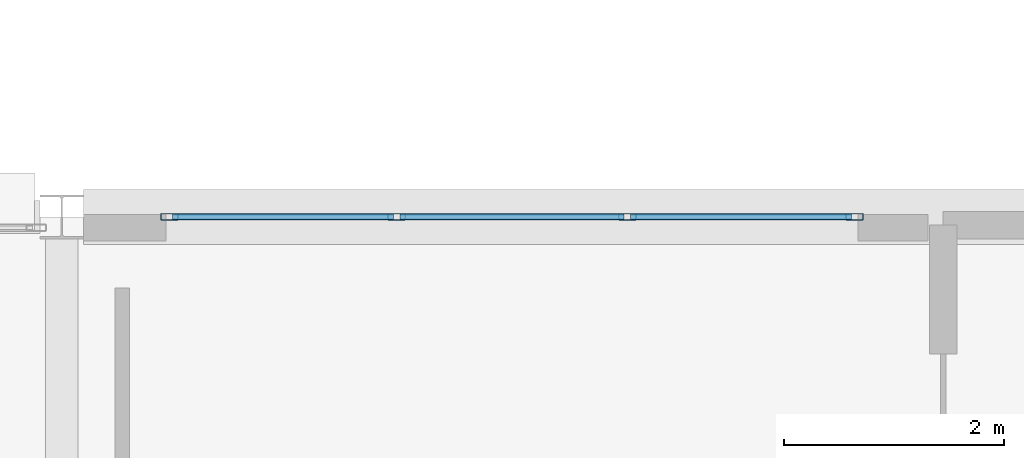
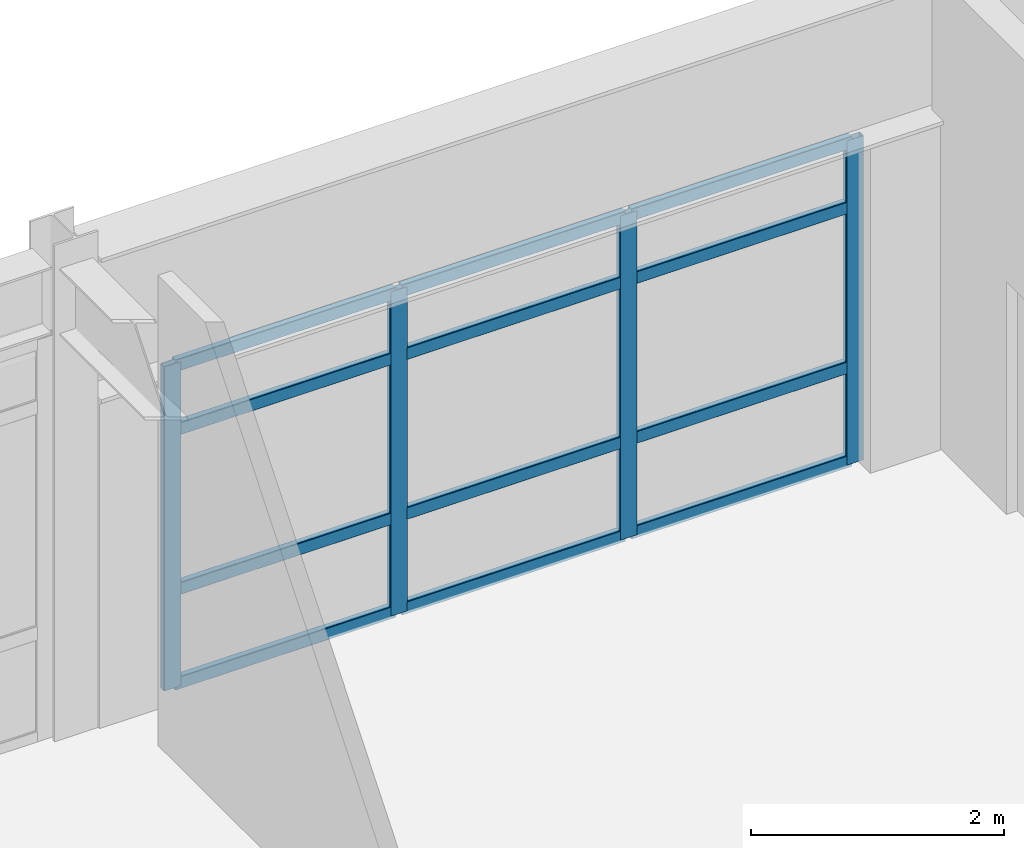
# One storey, part 34 of 93: 16 members, 1 element without a shape of its own.
"""IFC4 building model written with IfcOpenShell, lengths in metres."""

from ifc_helpers import new_model, si_unit, direction, frame, origin, origin_2d, place, context, subcontext, project, spatial, hollow_rectangle, extrude, material, layer, layer_set, material_profile, profile_set, type_object, element, aggregate, save


model = new_model("IFC4")

# Units and contexts
model_context = context("Model", 3, precision=1e-05, world=origin(), true_north=direction((0.0, 1.0)))
body_context = subcontext(model_context, "Body", "Model", "MODEL_VIEW")
ifc_project = project(units=[si_unit("LENGTHUNIT", "METRE"), si_unit("AREAUNIT", "SQUARE_METRE"), si_unit("VOLUMEUNIT", "CUBIC_METRE"), si_unit("PLANEANGLEUNIT", "RADIAN"), si_unit("MASSUNIT", "GRAM", prefix="KILO")], contexts=[model_context])

# Site, building, storey
site_placement = place(None, origin())
site = spatial("IfcSite", under=ifc_project, at=site_placement, CompositionType="ELEMENT")
building_placement = place(site_placement, origin())
building = spatial("IfcBuilding", under=site, at=building_placement, Name="Kazehara Bluff Congress Hotel", CompositionType="ELEMENT")
storey_placement = place(building_placement, frame((0.0, 0.0, 15.0)))
storey = spatial("IfcBuildingStorey", under=building, at=storey_placement, Name="L03", CompositionType="ELEMENT", Elevation=15.0)

# Curtain wall, members
ifc_material_1 = material(Name="Anodised aluminium", Category="aluminium")
ifc_layer = layer(ifc_material_1, 0.159912109375)
ifc_layer_set = layer_set([ifc_layer], Name="Anodised aluminium")
curtain_wall_type = type_object("IfcCurtainWallType", Name="TP-CW-72", PredefinedType="NOTDEFINED", material=ifc_layer_set)
curtain_wall_placement = place(storey_placement, origin())
curtain_wall = element("IfcCurtainWall", 1, at=curtain_wall_placement, inside=storey, type_object=curtain_wall_type, Name="L03 curtain wall CW-72 CW-V4-L03-Y5645-6860", PredefinedType="NOTDEFINED")
ifc_material_2 = material(Name="Anodised aluminium", Category="aluminium")
ifc_material_profile_1 = material_profile(ifc_material_2, hollow_rectangle(XDim=0.06005859375, YDim=0.159912109375, WallThickness=0.00390625, InnerFilletRadius=0.00390625, OuterFilletRadius=0.008056640625, at=origin_2d()))
ifc_profile_set_1 = profile_set([ifc_material_profile_1], Name="Anodised aluminium")
member_type_1 = type_object("IfcMemberType", Name="TP-CWM-01", PredefinedType="MULLION", material=ifc_profile_set_1)
member_1_placement = place(storey_placement, frame((68.6298828125, 56.449951171875, 0.0), z_axis=(0.0, 0.0, 1.0), x_axis=(0.0, 1.0, 0.0)))
member_1 = element("IfcMember", 2, at=member_1_placement, type_object=member_type_1, Name="CW-72 mullion 1", PredefinedType="MULLION", context=body_context, shape_type="SweptSolid", body=[
    extrude(hollow_rectangle(XDim=0.06005859375, YDim=0.159912109375, WallThickness=0.00390625, InnerFilletRadius=0.00390625, OuterFilletRadius=0.008056640625, at=origin_2d()), origin(), (0.0, 0.0, 1.0), 3.135009765625),
])
member_2_placement = place(storey_placement, frame((70.699951171875, 56.449951171875, 0.0), z_axis=(0.0, 0.0, 1.0), x_axis=(0.0, 1.0, 0.0)))
member_2 = element("IfcMember", 3, at=member_2_placement, type_object=member_type_1, Name="CW-72 mullion 2", PredefinedType="MULLION", context=body_context, shape_type="SweptSolid", body=[
    extrude(hollow_rectangle(XDim=0.06005859375, YDim=0.159912109375, WallThickness=0.00390625, InnerFilletRadius=0.00390625, OuterFilletRadius=0.008056640625, at=origin_2d()), origin(), (0.0, 0.0, 1.0), 3.135009765625),
])
member_3_placement = place(storey_placement, frame((72.800048828125, 56.449951171875, 0.0), z_axis=(0.0, 0.0, 1.0), x_axis=(0.0, 1.0, 0.0)))
member_3 = element("IfcMember", 4, at=member_3_placement, type_object=member_type_1, Name="CW-72 mullion 3", PredefinedType="MULLION", context=body_context, shape_type="SweptSolid", body=[
    extrude(hollow_rectangle(XDim=0.06005859375, YDim=0.159912109375, WallThickness=0.00390625, InnerFilletRadius=0.00390625, OuterFilletRadius=0.008056640625, at=origin_2d()), origin(), (0.0, 0.0, 1.0), 3.135009765625),
])
member_4_placement = place(storey_placement, frame((74.8701171875, 56.449951171875, 0.0), z_axis=(0.0, 0.0, 1.0), x_axis=(0.0, 1.0, 0.0)))
member_4 = element("IfcMember", 5, at=member_4_placement, type_object=member_type_1, Name="CW-72 mullion 4", PredefinedType="MULLION", context=body_context, shape_type="SweptSolid", body=[
    extrude(hollow_rectangle(XDim=0.06005859375, YDim=0.159912109375, WallThickness=0.00390625, InnerFilletRadius=0.00390625, OuterFilletRadius=0.008056640625, at=origin_2d()), origin(), (0.0, 0.0, 1.0), 3.135009765625),
])
ifc_material_3 = material(Name="Anodised aluminium", Category="aluminium")
ifc_material_profile_2 = material_profile(ifc_material_3, hollow_rectangle(XDim=0.06005859375, YDim=0.1201171875, WallThickness=0.00390625, InnerFilletRadius=0.00390625, OuterFilletRadius=0.008056640625, at=origin_2d()))
ifc_profile_set_2 = profile_set([ifc_material_profile_2], Name="Anodised aluminium")
member_type_2 = type_object("IfcMemberType", Name="TP-CWT-01", PredefinedType="USERDEFINED", material=ifc_profile_set_2)
member_5_placement = place(storey_placement, frame((68.659912109375, 56.449951171875, 0.030029296875), z_axis=(1.0, 0.0, 0.0), x_axis=(0.0, 1.0, 0.0)))
member_5 = element("IfcMember", 6, at=member_5_placement, type_object=member_type_2, Name="CW-72 transom 1.1", ObjectType="TRANSOM", PredefinedType="USERDEFINED", context=body_context, shape_type="SweptSolid", body=[
    extrude(hollow_rectangle(XDim=0.06005859375, YDim=0.1201171875, WallThickness=0.00390625, InnerFilletRadius=0.00390625, OuterFilletRadius=0.008056640625, at=origin_2d()), origin(), (0.0, 0.0, 1.0), 2.010009765625),
])
member_6_placement = place(storey_placement, frame((68.659912109375, 56.449951171875, 0.93994140625), z_axis=(1.0, 0.0, 0.0), x_axis=(0.0, 1.0, 0.0)))
member_6 = element("IfcMember", 7, at=member_6_placement, type_object=member_type_2, Name="CW-72 transom 1.2", ObjectType="TRANSOM", PredefinedType="USERDEFINED", context=body_context, shape_type="SweptSolid", body=[
    extrude(hollow_rectangle(XDim=0.06005859375, YDim=0.1201171875, WallThickness=0.00390625, InnerFilletRadius=0.00390625, OuterFilletRadius=0.008056640625, at=origin_2d()), origin(), (0.0, 0.0, 1.0), 2.010009765625),
])
member_7_placement = place(storey_placement, frame((68.659912109375, 56.449951171875, 2.485107421875), z_axis=(1.0, 0.0, 0.0), x_axis=(0.0, 1.0, 0.0)))
member_7 = element("IfcMember", 8, at=member_7_placement, type_object=member_type_2, Name="CW-72 transom 1.3", ObjectType="TRANSOM", PredefinedType="USERDEFINED", context=body_context, shape_type="SweptSolid", body=[
    extrude(hollow_rectangle(XDim=0.06005859375, YDim=0.1201171875, WallThickness=0.00390625, InnerFilletRadius=0.00390625, OuterFilletRadius=0.008056640625, at=origin_2d()), origin(), (0.0, 0.0, 1.0), 2.010009765625),
])
member_8_placement = place(storey_placement, frame((68.659912109375, 56.449951171875, 3.10498046875), z_axis=(1.0, 0.0, 0.0), x_axis=(0.0, 1.0, 0.0)))
member_8 = element("IfcMember", 9, at=member_8_placement, type_object=member_type_2, Name="CW-72 transom 1.4", ObjectType="TRANSOM", PredefinedType="USERDEFINED", context=body_context, shape_type="SweptSolid", body=[
    extrude(hollow_rectangle(XDim=0.06005859375, YDim=0.1201171875, WallThickness=0.00390625, InnerFilletRadius=0.00390625, OuterFilletRadius=0.008056640625, at=origin_2d()), origin(), (0.0, 0.0, 1.0), 2.010009765625),
])
member_9_placement = place(storey_placement, frame((70.72998046875, 56.449951171875, 0.030029296875), z_axis=(1.0, 0.0, 0.0), x_axis=(0.0, 1.0, 0.0)))
member_9 = element("IfcMember", 10, at=member_9_placement, type_object=member_type_2, Name="CW-72 transom 2.1", ObjectType="TRANSOM", PredefinedType="USERDEFINED", context=body_context, shape_type="SweptSolid", body=[
    extrude(hollow_rectangle(XDim=0.06005859375, YDim=0.1201171875, WallThickness=0.00390625, InnerFilletRadius=0.00390625, OuterFilletRadius=0.008056640625, at=origin_2d()), origin(), (0.0, 0.0, 1.0), 2.0400390625),
])
member_10_placement = place(storey_placement, frame((70.72998046875, 56.449951171875, 0.93994140625), z_axis=(1.0, 0.0, 0.0), x_axis=(0.0, 1.0, 0.0)))
member_10 = element("IfcMember", 11, at=member_10_placement, type_object=member_type_2, Name="CW-72 transom 2.2", ObjectType="TRANSOM", PredefinedType="USERDEFINED", context=body_context, shape_type="SweptSolid", body=[
    extrude(hollow_rectangle(XDim=0.06005859375, YDim=0.1201171875, WallThickness=0.00390625, InnerFilletRadius=0.00390625, OuterFilletRadius=0.008056640625, at=origin_2d()), origin(), (0.0, 0.0, 1.0), 2.0400390625),
])
member_11_placement = place(storey_placement, frame((70.72998046875, 56.449951171875, 2.485107421875), z_axis=(1.0, 0.0, 0.0), x_axis=(0.0, 1.0, 0.0)))
member_11 = element("IfcMember", 12, at=member_11_placement, type_object=member_type_2, Name="CW-72 transom 2.3", ObjectType="TRANSOM", PredefinedType="USERDEFINED", context=body_context, shape_type="SweptSolid", body=[
    extrude(hollow_rectangle(XDim=0.06005859375, YDim=0.1201171875, WallThickness=0.00390625, InnerFilletRadius=0.00390625, OuterFilletRadius=0.008056640625, at=origin_2d()), origin(), (0.0, 0.0, 1.0), 2.0400390625),
])
member_12_placement = place(storey_placement, frame((70.72998046875, 56.449951171875, 3.10498046875), z_axis=(1.0, 0.0, 0.0), x_axis=(0.0, 1.0, 0.0)))
member_12 = element("IfcMember", 13, at=member_12_placement, type_object=member_type_2, Name="CW-72 transom 2.4", ObjectType="TRANSOM", PredefinedType="USERDEFINED", context=body_context, shape_type="SweptSolid", body=[
    extrude(hollow_rectangle(XDim=0.06005859375, YDim=0.1201171875, WallThickness=0.00390625, InnerFilletRadius=0.00390625, OuterFilletRadius=0.008056640625, at=origin_2d()), origin(), (0.0, 0.0, 1.0), 2.0400390625),
])
member_13_placement = place(storey_placement, frame((72.830078125, 56.449951171875, 0.030029296875), z_axis=(1.0, 0.0, 0.0), x_axis=(0.0, 1.0, 0.0)))
member_13 = element("IfcMember", 14, at=member_13_placement, type_object=member_type_2, Name="CW-72 transom 3.1", ObjectType="TRANSOM", PredefinedType="USERDEFINED", context=body_context, shape_type="SweptSolid", body=[
    extrude(hollow_rectangle(XDim=0.06005859375, YDim=0.1201171875, WallThickness=0.00390625, InnerFilletRadius=0.00390625, OuterFilletRadius=0.008056640625, at=origin_2d()), origin(), (0.0, 0.0, 1.0), 2.010009765625),
])
member_14_placement = place(storey_placement, frame((72.830078125, 56.449951171875, 0.93994140625), z_axis=(1.0, 0.0, 0.0), x_axis=(0.0, 1.0, 0.0)))
member_14 = element("IfcMember", 15, at=member_14_placement, type_object=member_type_2, Name="CW-72 transom 3.2", ObjectType="TRANSOM", PredefinedType="USERDEFINED", context=body_context, shape_type="SweptSolid", body=[
    extrude(hollow_rectangle(XDim=0.06005859375, YDim=0.1201171875, WallThickness=0.00390625, InnerFilletRadius=0.00390625, OuterFilletRadius=0.008056640625, at=origin_2d()), origin(), (0.0, 0.0, 1.0), 2.010009765625),
])
member_15_placement = place(storey_placement, frame((72.830078125, 56.449951171875, 2.485107421875), z_axis=(1.0, 0.0, 0.0), x_axis=(0.0, 1.0, 0.0)))
member_15 = element("IfcMember", 16, at=member_15_placement, type_object=member_type_2, Name="CW-72 transom 3.3", ObjectType="TRANSOM", PredefinedType="USERDEFINED", context=body_context, shape_type="SweptSolid", body=[
    extrude(hollow_rectangle(XDim=0.06005859375, YDim=0.1201171875, WallThickness=0.00390625, InnerFilletRadius=0.00390625, OuterFilletRadius=0.008056640625, at=origin_2d()), origin(), (0.0, 0.0, 1.0), 2.010009765625),
])
member_16_placement = place(storey_placement, frame((72.830078125, 56.449951171875, 3.10498046875), z_axis=(1.0, 0.0, 0.0), x_axis=(0.0, 1.0, 0.0)))
member_16 = element("IfcMember", 17, at=member_16_placement, type_object=member_type_2, Name="CW-72 transom 3.4", ObjectType="TRANSOM", PredefinedType="USERDEFINED", context=body_context, shape_type="SweptSolid", body=[
    extrude(hollow_rectangle(XDim=0.06005859375, YDim=0.1201171875, WallThickness=0.00390625, InnerFilletRadius=0.00390625, OuterFilletRadius=0.008056640625, at=origin_2d()), origin(), (0.0, 0.0, 1.0), 2.010009765625),
])
aggregate(curtain_wall, [member_1, member_2, member_3, member_4, member_5, member_6, member_7, member_8, member_9, member_10, member_11, member_12, member_13, member_14, member_15, member_16])

save(model, "model.ifc")
